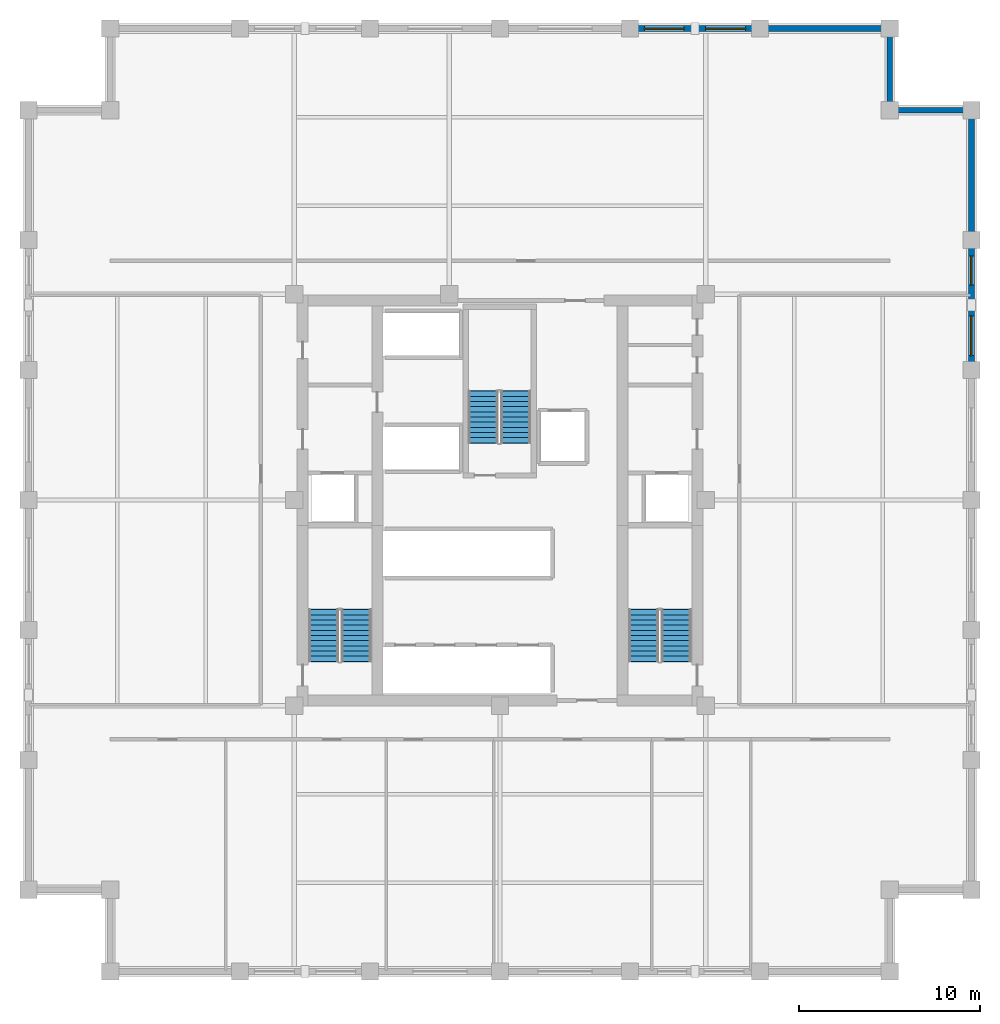
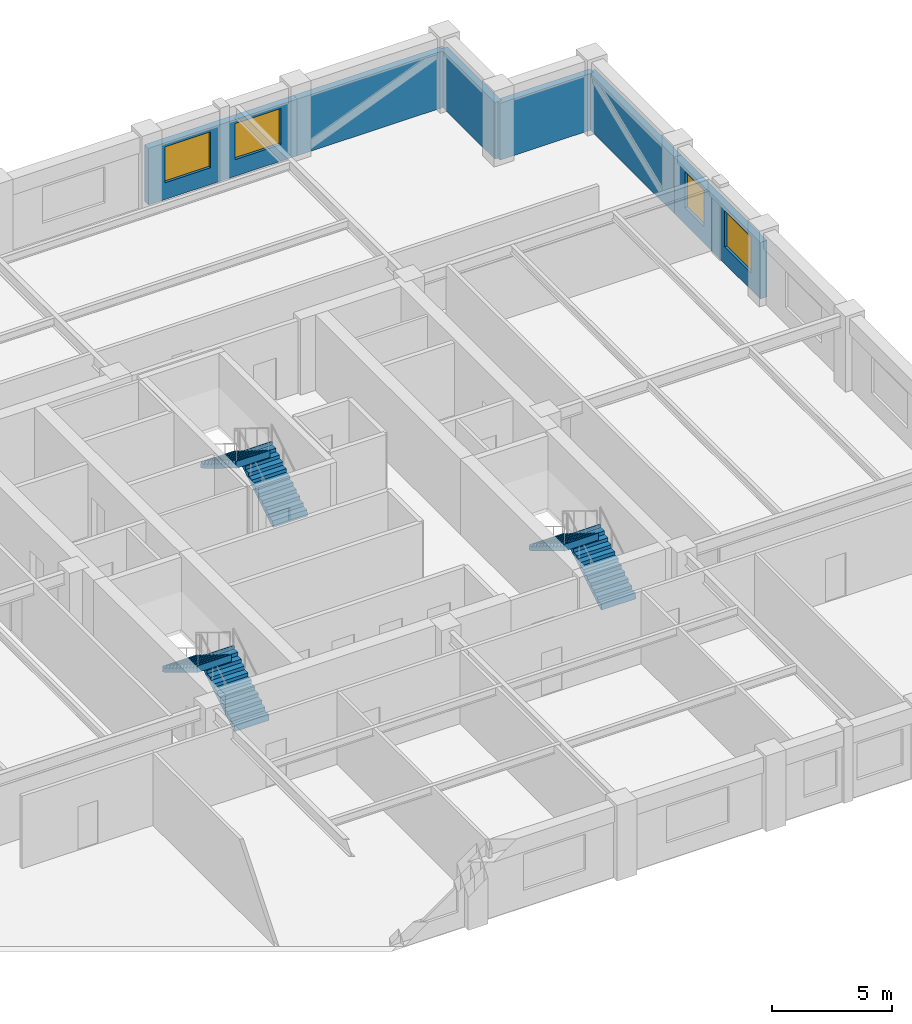
# One storey, part 5 of 6: 6 stair flights, 6 walls, 4 windows, 4 openings, 3 elements without a shape of their own.
"""IFC4 building model written with IfcOpenShell, lengths in metres."""

import ifcopenshell
import ifcopenshell.guid

model = None  # the IFC model being written
_history = None  # IfcOwnerHistory: only IFC2X3 demands one
_inside = {}  # id of a spatial element -> (the spatial element, [elements in it])
_under = {}  # id of a project, library or spatial element -> (it, [spatial elements below it])
_declared = {}  # id of a project -> (the project, [libraries it declares])
_typed = {}  # id of a type object -> (the type object, [elements of that type])
_made_of = {}  # id of a material, layer set ... -> (it, [elements and type objects made of it])


def new_model(schema):
    """Start an empty IFC model of exactly this schema.

    Asked for "IFC4X3", IfcOpenShell would pick the latest addendum, in which some entities
    have other attributes; the version numbers below select the first issue.
    IFC2X3 requires an IfcOwnerHistory on every rooted entity: one is made here for all.
    """
    global model, _history
    if schema == "IFC4X3":
        model = ifcopenshell.file(schema_version=(4, 3, 0, 0))
    else:
        model = ifcopenshell.file(schema=schema)
    _inside.clear()
    _under.clear()
    _declared.clear()
    _typed.clear()
    _made_of.clear()
    _history = None
    if model.schema == "IFC2X3":
        org = make("IfcOrganization", Name="unknown")
        user = make(
            "IfcPersonAndOrganization",
            ThePerson=make("IfcPerson", FamilyName="unknown"),
            TheOrganization=org,
        )
        app = make(
            "IfcApplication",
            ApplicationDeveloper=org,
            Version="unknown",
            ApplicationFullName="unknown",
            ApplicationIdentifier="unknown",
        )
        _history = make(
            "IfcOwnerHistory",
            OwningUser=user,
            OwningApplication=app,
            ChangeAction="ADDED",
            CreationDate=0,
        )
    return model


def make(cls, **values):
    """One entity of the class cls with the attributes given. An attribute that is None is left unset."""
    return model.create_entity(
        cls, **{name: value for name, value in values.items() if value is not None}
    )


def rooted(cls, **values):
    """An entity with a GlobalId (a new one), such as an element, a storey or a relation."""
    return make(cls, GlobalId=ifcopenshell.guid.new(), OwnerHistory=_history, **values)


def si_unit(unit_type, name, prefix=None):
    """IfcSIUnit, for example si_unit("LENGTHUNIT", "METRE", prefix="MILLI")."""
    return make("IfcSIUnit", UnitType=unit_type, Prefix=prefix, Name=name)


def assignment(units):
    """IfcUnitAssignment: the units of a project."""
    return None if units is None else make("IfcUnitAssignment", Units=units)


def point(xyz):
    """IfcCartesianPoint."""
    return None if xyz is None else make("IfcCartesianPoint", Coordinates=xyz)


def direction(xyz):
    """IfcDirection."""
    return None if xyz is None else make("IfcDirection", DirectionRatios=xyz)


def frame(location, z_axis=None, x_axis=None):
    """IfcAxis2Placement3D, a coordinate frame: its origin and axes. An axis left out is left unset."""
    return make(
        "IfcAxis2Placement3D",
        Location=point(location),
        Axis=direction(z_axis),
        RefDirection=direction(x_axis),
    )


def frame_2d(location, x_axis=None):
    """IfcAxis2Placement2D, a coordinate frame in the plane: its origin and x axis."""
    return make(
        "IfcAxis2Placement2D", Location=point(location), RefDirection=direction(x_axis)
    )


def origin():
    """The frame at (0, 0, 0) with its axes left unset."""
    return frame((0.0, 0.0, 0.0))


def place(relative_to, where):
    """IfcLocalPlacement: puts the frame where relative to a parent placement (None: the world)."""
    return make(
        "IfcLocalPlacement", PlacementRelTo=relative_to, RelativePlacement=where
    )


def context(
    kind, dimensions, precision=None, world=None, true_north=None, identifier=None
):
    """IfcGeometricRepresentationContext, for example the 3D "Model" context."""
    return make(
        "IfcGeometricRepresentationContext",
        ContextIdentifier=identifier,
        ContextType=kind,
        CoordinateSpaceDimension=dimensions,
        Precision=precision,
        WorldCoordinateSystem=world,
        TrueNorth=true_north,
    )


def subcontext(parent, identifier, kind, view, scale=None):
    """IfcGeometricRepresentationSubContext, for example "Body" below "Model"."""
    return make(
        "IfcGeometricRepresentationSubContext",
        ContextIdentifier=identifier,
        ContextType=kind,
        ParentContext=parent,
        TargetScale=scale,
        TargetView=view,
    )


def project(units=None, contexts=None):
    """IfcProject with its units and contexts."""
    return rooted(
        "IfcProject",
        Name="project",
        RepresentationContexts=contexts,
        UnitsInContext=assignment(units),
    )


def spatial(cls, under=None, at=None, **own):
    """A site, building, storey or space (cls), placed at a placement, below another one or the project."""
    s = rooted(cls, ObjectPlacement=at, **own)
    if under is not None:
        _under.setdefault(under.id(), (under, []))[1].append(s)
    return s


def polyline(points):
    """IfcPolyline through the points."""
    return make("IfcPolyline", Points=[point(p) for p in points])


def profile(cls, at=None, kind="AREA", **sizes):
    """A parametric profile (cls). Its sizes go by their IFC names, for example OverallWidth=200.0."""
    return make(cls, ProfileType=kind, Position=at, **sizes)


def rectangle(**sizes):
    """IfcRectangleProfileDef."""
    return profile("IfcRectangleProfileDef", **sizes)


def outline(outer, holes=None, kind="AREA"):
    """IfcArbitraryClosedProfileDef: a profile drawn as a closed curve; with holes, ...WithVoids."""
    if holes is None:
        return make("IfcArbitraryClosedProfileDef", ProfileType=kind, OuterCurve=outer)
    return make(
        "IfcArbitraryProfileDefWithVoids",
        ProfileType=kind,
        OuterCurve=outer,
        InnerCurves=holes,
    )


def extrude(swept, where, along, depth):
    """IfcExtrudedAreaSolid: the profile swept, set in the frame where, extruded along a direction by depth."""
    return make(
        "IfcExtrudedAreaSolid",
        SweptArea=swept,
        Position=where,
        ExtrudedDirection=direction(along),
        Depth=depth,
    )


def shape(context_of_items, identifier, shape_type, items):
    """IfcShapeRepresentation: the items that make up one representation, for example the "Body"."""
    return make(
        "IfcShapeRepresentation",
        ContextOfItems=context_of_items,
        RepresentationIdentifier=identifier,
        RepresentationType=shape_type,
        Items=items,
    )


def material(Name=None, Category=None):
    """IfcMaterial."""
    return make("IfcMaterial", Name=Name, Category=Category)


def layer(
    of_material, thickness, ventilated=None, Name=None, Category=None, Priority=None
):
    """IfcMaterialLayer: one layer of a wall or slab, of a material (None: an air gap)."""
    return make(
        "IfcMaterialLayer",
        Material=of_material,
        LayerThickness=thickness,
        IsVentilated=ventilated,
        Name=Name,
        Category=Category,
        Priority=Priority,
    )


def layer_set(layers, Name=None):
    """IfcMaterialLayerSet."""
    return make("IfcMaterialLayerSet", MaterialLayers=layers, LayerSetName=Name)


def made_of(thing, what):
    """Note that an element or type object is made of a material, layer set ...; save() writes the relation."""
    if what is not None:
        _made_of.setdefault(what.id(), (what, []))[1].append(thing)
    return thing


def type_object(cls, material=None, **own):
    """A type object (cls), such as IfcWallType, which elements share."""
    return made_of(rooted(cls, **own), material)


def element(
    cls,
    number,
    at=None,
    inside=None,
    cuts=None,
    type_object=None,
    material=None,
    context=None,
    identifier="Body",
    shape_type=None,
    held_by="IfcProductDefinitionShape",
    body=None,
    shapes=None,
    **own,
):
    """One element of the class cls, such as IfcWall. Its Tag is "e" and its number.

    at: its placement. inside: the storey or other place that contains it. cuts: it is an
    opening in that element (IfcRelVoidsElement). A single representation is given by context,
    identifier, shape_type and body (its items); several are given by shapes. held_by: the class
    of the entity that holds the representations. save() writes the other relations.
    """
    e = rooted(cls, Tag="e%d" % number, ObjectPlacement=at, **own)
    if body is not None:
        shapes = [shape(context, identifier, shape_type, body)]
    if shapes is not None:
        e.Representation = make(held_by, Representations=shapes)
    if inside is not None:
        _inside.setdefault(inside.id(), (inside, []))[1].append(e)
    if cuts is not None:
        rooted(
            "IfcRelVoidsElement", RelatingBuildingElement=cuts, RelatedOpeningElement=e
        )
    if type_object is not None:
        _typed.setdefault(type_object.id(), (type_object, []))[1].append(e)
    return made_of(e, material)


def fill(opening, filler):
    """IfcRelFillsElement: the door or window that sits in an opening."""
    return rooted(
        "IfcRelFillsElement",
        RelatingOpeningElement=opening,
        RelatedBuildingElement=filler,
    )


def aggregate(whole, parts):
    """IfcRelAggregates: a whole, such as a stair, and the parts it consists of."""
    return rooted("IfcRelAggregates", RelatingObject=whole, RelatedObjects=parts)


def save(model, path):
    """Write the relations noted so far, then the file.

    IfcRelAggregates (storeys below a building ...), IfcRelContainedInSpatialStructure (elements
    in a storey), IfcRelDefinesByType, IfcRelAssociatesMaterial and IfcRelDeclares: one each for
    every whole, place, type object, material and project.
    """
    for whole, parts in _under.values():
        aggregate(whole, parts)
    for where, things in _inside.values():
        rooted(
            "IfcRelContainedInSpatialStructure",
            RelatedElements=things,
            RelatingStructure=where,
        )
    for kind, things in _typed.values():
        rooted("IfcRelDefinesByType", RelatedObjects=things, RelatingType=kind)
    for what, things in _made_of.values():
        rooted("IfcRelAssociatesMaterial", RelatedObjects=things, RelatingMaterial=what)
    for by, libraries in _declared.values():
        rooted("IfcRelDeclares", RelatingContext=by, RelatedDefinitions=libraries)
    model.write(path)


model = new_model("IFC4")

# Units and contexts
model_context = context("Model", 3, precision=1e-05, world=origin(), true_north=direction((0.0, 1.0)))
body_context = subcontext(model_context, "Body", "Model", "MODEL_VIEW")
ifc_project = project(units=[si_unit("LENGTHUNIT", "METRE"), si_unit("AREAUNIT", "SQUARE_METRE"), si_unit("VOLUMEUNIT", "CUBIC_METRE"), si_unit("PLANEANGLEUNIT", "RADIAN"), si_unit("MASSUNIT", "GRAM", prefix="KILO")], contexts=[model_context])

# Site, building, storey
site_placement = place(None, origin())
site = spatial("IfcSite", under=ifc_project, at=site_placement, CompositionType="ELEMENT")
building_placement = place(site_placement, origin())
building = spatial("IfcBuilding", under=site, at=building_placement, Name="Nhamokura Convention Tower", CompositionType="ELEMENT")
storey_placement = place(building_placement, frame((0.0, 0.0, 160.64990234375)))
storey = spatial("IfcBuildingStorey", under=building, at=storey_placement, Name="L39", CompositionType="ELEMENT", Elevation=160.64990234375)

# Wall, openings, windows
ifc_material_1 = material(Name="Bronze-pigmented precast concrete C45/55", Category="concrete")
ifc_layer = layer(ifc_material_1, 0.320068359375)
ifc_layer_set = layer_set([ifc_layer], Name="BronzePrecastSpandrel_320")
wall_type = type_object("IfcWallType", Name="BronzePrecastSpandrel_320", PredefinedType="USERDEFINED", material=ifc_layer_set)
wall_1_placement = place(storey_placement, frame((39.166748046875, 58.0, 0.0), z_axis=(0.0, 0.0, 1.0), x_axis=(1.0, 0.0, 0.0)))
wall_1 = element("IfcWall", 1, at=wall_1_placement, inside=storey, type_object=wall_type, Name="L39 Masonry-Frame Wall NORTH 4", ObjectType="SPANDREL_WALL", PredefinedType="USERDEFINED", context=body_context, shape_type="SweptSolid", body=[
    extrude(rectangle(XDim=7.16650390625, YDim=0.320068359375, at=frame_2d((3.583251953125, 0.0))), origin(), (0.0, 0.0, 1.0), 2.885009765625),
])
opening_1_placement = place(wall_1_placement, frame((0.791748046875, 0.0, 0.85009765625)))
opening_1 = element("IfcOpeningElement", 2, at=opening_1_placement, cuts=wall_1, Name="Opening W-06", PredefinedType="OPENING", context=body_context, shape_type="SweptSolid", body=[
    extrude(rectangle(XDim=2.199951171875, YDim=1.8349609375, at=frame_2d((1.10009765625, 0.91748046875))), frame((0.0, 0.169921875, 0.0), z_axis=(0.0, -1.0, 0.0), x_axis=(1.0, 0.0, 0.0)), (0.0, 0.0, 1.0), 0.340087890625),
])
opening_2_placement = place(wall_1_placement, frame((4.175048828125, 0.0, 0.85009765625)))
opening_2 = element("IfcOpeningElement", 3, at=opening_2_placement, cuts=wall_1, Name="Opening W-06", PredefinedType="OPENING", context=body_context, shape_type="SweptSolid", body=[
    extrude(rectangle(XDim=2.199951171875, YDim=1.8349609375, at=frame_2d((1.10009765625, 0.91748046875))), frame((0.0, 0.169921875, 0.0), z_axis=(0.0, -1.0, 0.0), x_axis=(1.0, 0.0, 0.0)), (0.0, 0.0, 1.0), 0.340087890625),
])
ifc_material_2 = material(Name="Solar-control bronze low-E double glass", Category="glass")
window_type_1 = type_object("IfcWindowType", Name="OfficeModuleWindow_Z2_2200", PartitioningType="SINGLE_PANEL", PredefinedType="WINDOW", material=ifc_material_2)
window_1_placement = place(opening_1_placement, origin())
window_1 = element("IfcWindow", 4, at=window_1_placement, inside=storey, type_object=window_type_1, Name="L39 Facade Window NORTH 4-1", OverallHeight=1.8349609375, OverallWidth=2.199951171875, PartitioningType="SINGLE_PANEL", PredefinedType="WINDOW", context=body_context, shape_type="SweptSolid", body=[
    extrude(rectangle(XDim=2.199951171875, YDim=1.8349609375, at=frame_2d((1.10009765625, 0.91748046875))), frame((0.0, 0.030029296875, 0.0), z_axis=(0.0, -1.0, 0.0), x_axis=(1.0, 0.0, 0.0)), (0.0, 0.0, 1.0), 0.06005859375),
])
fill(opening_1, window_1)
window_2_placement = place(opening_2_placement, origin())
window_2 = element("IfcWindow", 5, at=window_2_placement, inside=storey, type_object=window_type_1, Name="L39 Facade Window NORTH 4-2", OverallHeight=1.8349609375, OverallWidth=2.199951171875, PartitioningType="SINGLE_PANEL", PredefinedType="WINDOW", context=body_context, shape_type="SweptSolid", body=[
    extrude(rectangle(XDim=2.199951171875, YDim=1.8349609375, at=frame_2d((1.10009765625, 0.91748046875))), frame((0.0, 0.030029296875, 0.0), z_axis=(0.0, -1.0, 0.0), x_axis=(1.0, 0.0, 0.0)), (0.0, 0.0, 1.0), 0.06005859375),
])
fill(opening_2, window_2)

# Wall
wall_2_placement = place(storey_placement, frame((46.333251953125, 58.0, 0.0), z_axis=(0.0, 0.0, 1.0), x_axis=(1.0, 0.0, 0.0)))
element("IfcWall", 6, at=wall_2_placement, inside=storey, type_object=wall_type, Name="L39 Braced-Bay Precast Wall NORTH 5", ObjectType="SPANDREL_WALL", PredefinedType="USERDEFINED", context=body_context, shape_type="SweptSolid", body=[
    extrude(rectangle(XDim=7.166748046875, YDim=0.320068359375, at=frame_2d((3.58349609375, 0.0))), origin(), (0.0, 0.0, 1.0), 2.885009765625),
])

# Wall, openings, windows
wall_3_placement = place(storey_placement, frame((58.0, 46.333251953125, 0.0), z_axis=(0.0, 0.0, 1.0), x_axis=(0.0, -1.0, 0.0)))
wall_3 = element("IfcWall", 7, at=wall_3_placement, inside=storey, type_object=wall_type, Name="L39 Masonry-Frame Wall EAST 4", ObjectType="SPANDREL_WALL", PredefinedType="USERDEFINED", context=body_context, shape_type="SweptSolid", body=[
    extrude(rectangle(XDim=7.16650390625, YDim=0.320068359375, at=frame_2d((3.583251953125, 0.0))), origin(), (0.0, 0.0, 1.0), 2.885009765625),
])
opening_3_placement = place(wall_3_placement, frame((0.879150390625, 0.0, 0.85009765625)))
opening_3 = element("IfcOpeningElement", 8, at=opening_3_placement, cuts=wall_3, Name="Opening W-11", PredefinedType="OPENING", context=body_context, shape_type="SweptSolid", body=[
    extrude(rectangle(XDim=1.60009765625, YDim=1.8349609375, at=frame_2d((0.800048828125, 0.91748046875))), frame((0.0, 0.169921875, 0.0), z_axis=(0.0, -1.0, 0.0), x_axis=(1.0, 0.0, 0.0)), (0.0, 0.0, 1.0), 0.340087890625),
])
opening_4_placement = place(wall_3_placement, frame((4.175048828125, 0.0, 0.85009765625)))
opening_4 = element("IfcOpeningElement", 9, at=opening_4_placement, cuts=wall_3, Name="Opening W-06", PredefinedType="OPENING", context=body_context, shape_type="SweptSolid", body=[
    extrude(rectangle(XDim=2.199951171875, YDim=1.8349609375, at=frame_2d((1.10009765625, 0.91748046875))), frame((0.0, 0.169921875, 0.0), z_axis=(0.0, -1.0, 0.0), x_axis=(1.0, 0.0, 0.0)), (0.0, 0.0, 1.0), 0.340087890625),
])
ifc_material_3 = material(Name="Solar-control bronze low-E double glass", Category="glass")
window_type_2 = type_object("IfcWindowType", Name="NotchCornerWindow_1600", PartitioningType="SINGLE_PANEL", PredefinedType="WINDOW", material=ifc_material_3)
window_3_placement = place(opening_3_placement, origin())
window_3 = element("IfcWindow", 10, at=window_3_placement, inside=storey, type_object=window_type_2, Name="L39 Facade Window EAST 4-1", OverallHeight=1.8349609375, OverallWidth=1.60009765625, PartitioningType="SINGLE_PANEL", PredefinedType="WINDOW", context=body_context, shape_type="SweptSolid", body=[
    extrude(rectangle(XDim=1.60009765625, YDim=1.8349609375, at=frame_2d((0.800048828125, 0.91748046875))), frame((0.0, 0.030029296875, 0.0), z_axis=(0.0, -1.0, 0.0), x_axis=(1.0, 0.0, 0.0)), (0.0, 0.0, 1.0), 0.06005859375),
])
fill(opening_3, window_3)
window_4_placement = place(opening_4_placement, origin())
window_4 = element("IfcWindow", 11, at=window_4_placement, inside=storey, type_object=window_type_1, Name="L39 Facade Window EAST 4-2", OverallHeight=1.8349609375, OverallWidth=2.199951171875, PartitioningType="SINGLE_PANEL", PredefinedType="WINDOW", context=body_context, shape_type="SweptSolid", body=[
    extrude(rectangle(XDim=2.199951171875, YDim=1.8349609375, at=frame_2d((1.10009765625, 0.91748046875))), frame((0.0, 0.030029296875, 0.0), z_axis=(0.0, -1.0, 0.0), x_axis=(1.0, 0.0, 0.0)), (0.0, 0.0, 1.0), 0.06005859375),
])
fill(opening_4, window_4)

# Walls
wall_4_placement = place(storey_placement, frame((58.0, 53.5, 0.0), z_axis=(0.0, 0.0, 1.0), x_axis=(0.0, -1.0, 0.0)))
element("IfcWall", 12, at=wall_4_placement, inside=storey, type_object=wall_type, Name="L39 Braced-Bay Precast Wall EAST 5", ObjectType="SPANDREL_WALL", PredefinedType="USERDEFINED", context=body_context, shape_type="SweptSolid", body=[
    extrude(rectangle(XDim=7.166748046875, YDim=0.320068359375, at=frame_2d((3.58349609375, 0.0))), origin(), (0.0, 0.0, 1.0), 2.885009765625),
])
for number, where, z_axis, x_axis, name in (
    (13, (53.5, 53.5, 0.0), (0.0, 0.0, 1.0), (1.0, 0.0, 0.0), "L39 Notched Corner Wall NE1"),
    (14, (53.5, 58.0, 0.0), (0.0, 0.0, 1.0), (0.0, -1.0, 0.0), "L39 Notched Corner Wall NE2"),
):
    element("IfcWall", number, at=place(storey_placement, frame(where, z_axis=z_axis, x_axis=x_axis)), inside=storey, type_object=wall_type, Name=name, ObjectType="SPANDREL_WALL", PredefinedType="USERDEFINED", context=body_context, shape_type="SweptSolid", body=[
        extrude(rectangle(XDim=4.5, YDim=0.320068359375, at=frame_2d((2.25, 0.0))), origin(), (0.0, 0.0, 1.0), 2.885009765625),
    ])

# Stair, stair flights
ifc_material_4 = material(Name="Concrete C40/50", Category="concrete")
stair_type = type_object("IfcStairType", Name="TowerCoreStair_1650", PredefinedType="HALF_TURN_STAIR", material=ifc_material_4)
stair_1_placement = place(storey_placement, origin())
stair_1 = element("IfcStair", 15, at=stair_1_placement, inside=storey, type_object=stair_type, Name="L39 West Core Smokeproof Stair ST-01", PredefinedType="HALF_TURN_STAIR")
ifc_material_5 = material(Name="Concrete C40/50", Category="concrete")
stair_flight_type = type_object("IfcStairFlightType", Name="TowerCoreStair_1650_Flight", PredefinedType="STRAIGHT", material=ifc_material_5)
stair_flight_1_placement = place(storey_placement, frame((24.074951171875, 23.10009765625, 0.0), z_axis=(0.0, 0.0, 1.0), x_axis=(0.0, 1.0, 0.0)))
stair_flight_1 = element("IfcStairFlight", 16, at=stair_flight_1_placement, type_object=stair_flight_type, Name="ST-01 flight 1", NumberOfRisers=11, NumberOfTreads=10, PredefinedType="STRAIGHT", RiserHeight=0.175, TreadLength=0.285, context=body_context, shape_type="SweptSolid", body=[
    extrude(outline(polyline([(-0.0419921875, 0.0), (0.0, 0.175048828125), (0.284912109375, 0.175048828125), (0.284912109375, 0.35009765625), (0.570068359375, 0.35009765625), (0.570068359375, 0.52490234375), (0.85498046875, 0.52490234375), (0.85498046875, 0.699951171875), (1.139892578125, 0.699951171875), (1.139892578125, 0.875), (1.425048828125, 0.875), (1.425048828125, 1.050048828125), (1.7099609375, 1.050048828125), (1.7099609375, 1.22509765625), (1.9951171875, 1.22509765625), (1.9951171875, 1.39990234375), (2.280029296875, 1.39990234375), (2.280029296875, 1.574951171875), (2.56494140625, 1.574951171875), (2.56494140625, 1.75), (2.85009765625, 1.75), (2.85009765625, 1.925048828125), (2.89208984375, 1.925048828125), (2.89208984375, 1.573974609375), (2.85009765625, 1.573974609375), (0.286376953125, 0.0), (0.02001953125, -0.1298828125), (-0.0419921875, -0.1298828125), (-0.0419921875, 0.0)])), frame((0.0, 0.824951171875, 0.0), z_axis=(0.0, -1.0, 0.0), x_axis=(1.0, 0.0, 0.0)), (0.0, 0.0, 1.0), 1.64990234375),
])
stair_flight_2_placement = place(storey_placement, frame((22.27490234375, 25.949951171875, 1.925048828125), z_axis=(0.0, 0.0, 1.0), x_axis=(0.0, -1.0, 0.0)))
stair_flight_2 = element("IfcStairFlight", 17, at=stair_flight_2_placement, type_object=stair_flight_type, Name="ST-01 flight 2", NumberOfRisers=11, NumberOfTreads=10, PredefinedType="STRAIGHT", RiserHeight=0.175, TreadLength=0.285, context=body_context, shape_type="SweptSolid", body=[
    extrude(outline(polyline([(-0.0419921875, 0.0), (0.0, 0.175048828125), (0.284912109375, 0.175048828125), (0.284912109375, 0.35009765625), (0.570068359375, 0.35009765625), (0.570068359375, 0.52490234375), (0.85498046875, 0.52490234375), (0.85498046875, 0.699951171875), (1.139892578125, 0.699951171875), (1.139892578125, 0.875), (1.425048828125, 0.875), (1.425048828125, 1.050048828125), (1.7099609375, 1.050048828125), (1.7099609375, 1.22509765625), (1.9951171875, 1.22509765625), (1.9951171875, 1.39990234375), (2.280029296875, 1.39990234375), (2.280029296875, 1.574951171875), (2.56494140625, 1.574951171875), (2.56494140625, 1.75), (2.85009765625, 1.75), (2.85009765625, 1.925048828125), (2.89208984375, 1.925048828125), (2.89208984375, 1.573974609375), (2.85009765625, 1.573974609375), (0.286376953125, 0.0), (0.02001953125, -0.1298828125), (-0.0419921875, -0.1298828125), (-0.0419921875, 0.0)])), frame((0.0, 0.824951171875, 0.0), z_axis=(0.0, -1.0, 0.0), x_axis=(1.0, 0.0, 0.0)), (0.0, 0.0, 1.0), 1.64990234375),
])
aggregate(stair_1, [stair_flight_1, stair_flight_2])

stair_2_placement = place(storey_placement, origin())
stair_2 = element("IfcStair", 18, at=stair_2_placement, inside=storey, type_object=stair_type, Name="L39 East Core Smokeproof Stair ST-02", PredefinedType="HALF_TURN_STAIR")
stair_flight_3_placement = place(storey_placement, frame((41.72509765625, 23.10009765625, 0.0), z_axis=(0.0, 0.0, 1.0), x_axis=(0.0, 1.0, 0.0)))
stair_flight_3 = element("IfcStairFlight", 19, at=stair_flight_3_placement, type_object=stair_flight_type, Name="ST-02 flight 1", NumberOfRisers=11, NumberOfTreads=10, PredefinedType="STRAIGHT", RiserHeight=0.175, TreadLength=0.285, context=body_context, shape_type="SweptSolid", body=[
    extrude(outline(polyline([(-0.0419921875, 0.0), (0.0, 0.175048828125), (0.284912109375, 0.175048828125), (0.284912109375, 0.35009765625), (0.570068359375, 0.35009765625), (0.570068359375, 0.52490234375), (0.85498046875, 0.52490234375), (0.85498046875, 0.699951171875), (1.139892578125, 0.699951171875), (1.139892578125, 0.875), (1.425048828125, 0.875), (1.425048828125, 1.050048828125), (1.7099609375, 1.050048828125), (1.7099609375, 1.22509765625), (1.9951171875, 1.22509765625), (1.9951171875, 1.39990234375), (2.280029296875, 1.39990234375), (2.280029296875, 1.574951171875), (2.56494140625, 1.574951171875), (2.56494140625, 1.75), (2.85009765625, 1.75), (2.85009765625, 1.925048828125), (2.89208984375, 1.925048828125), (2.89208984375, 1.573974609375), (2.85009765625, 1.573974609375), (0.286376953125, 0.0), (0.02001953125, -0.1298828125), (-0.0419921875, -0.1298828125), (-0.0419921875, 0.0)])), frame((0.0, 0.824951171875, 0.0), z_axis=(0.0, -1.0, 0.0), x_axis=(1.0, 0.0, 0.0)), (0.0, 0.0, 1.0), 1.64990234375),
])
stair_flight_4_placement = place(storey_placement, frame((39.925048828125, 25.949951171875, 1.925048828125), z_axis=(0.0, 0.0, 1.0), x_axis=(0.0, -1.0, 0.0)))
stair_flight_4 = element("IfcStairFlight", 20, at=stair_flight_4_placement, type_object=stair_flight_type, Name="ST-02 flight 2", NumberOfRisers=11, NumberOfTreads=10, PredefinedType="STRAIGHT", RiserHeight=0.175, TreadLength=0.285, context=body_context, shape_type="SweptSolid", body=[
    extrude(outline(polyline([(-0.0419921875, 0.0), (0.0, 0.175048828125), (0.284912109375, 0.175048828125), (0.284912109375, 0.35009765625), (0.570068359375, 0.35009765625), (0.570068359375, 0.52490234375), (0.85498046875, 0.52490234375), (0.85498046875, 0.699951171875), (1.139892578125, 0.699951171875), (1.139892578125, 0.875), (1.425048828125, 0.875), (1.425048828125, 1.050048828125), (1.7099609375, 1.050048828125), (1.7099609375, 1.22509765625), (1.9951171875, 1.22509765625), (1.9951171875, 1.39990234375), (2.280029296875, 1.39990234375), (2.280029296875, 1.574951171875), (2.56494140625, 1.574951171875), (2.56494140625, 1.75), (2.85009765625, 1.75), (2.85009765625, 1.925048828125), (2.89208984375, 1.925048828125), (2.89208984375, 1.573974609375), (2.85009765625, 1.573974609375), (0.286376953125, 0.0), (0.02001953125, -0.1298828125), (-0.0419921875, -0.1298828125), (-0.0419921875, 0.0)])), frame((0.0, 0.824951171875, 0.0), z_axis=(0.0, -1.0, 0.0), x_axis=(1.0, 0.0, 0.0)), (0.0, 0.0, 1.0), 1.64990234375),
])
aggregate(stair_2, [stair_flight_3, stair_flight_4])

stair_3_placement = place(storey_placement, origin())
stair_3 = element("IfcStair", 21, at=stair_3_placement, inside=storey, type_object=stair_type, Name="L39 North Core Smokeproof Stair ST-03", PredefinedType="HALF_TURN_STAIR")
stair_flight_5_placement = place(storey_placement, frame((32.875, 35.14990234375, 0.0), z_axis=(0.0, 0.0, 1.0), x_axis=(0.0, 1.0, 0.0)))
stair_flight_5 = element("IfcStairFlight", 22, at=stair_flight_5_placement, type_object=stair_flight_type, Name="ST-03 flight 1", NumberOfRisers=11, NumberOfTreads=10, PredefinedType="STRAIGHT", RiserHeight=0.175, TreadLength=0.285, context=body_context, shape_type="SweptSolid", body=[
    extrude(outline(polyline([(-0.0419921875, 0.0), (0.0, 0.175048828125), (0.284912109375, 0.175048828125), (0.284912109375, 0.35009765625), (0.570068359375, 0.35009765625), (0.570068359375, 0.52490234375), (0.85498046875, 0.52490234375), (0.85498046875, 0.699951171875), (1.139892578125, 0.699951171875), (1.139892578125, 0.875), (1.425048828125, 0.875), (1.425048828125, 1.050048828125), (1.7099609375, 1.050048828125), (1.7099609375, 1.22509765625), (1.9951171875, 1.22509765625), (1.9951171875, 1.39990234375), (2.280029296875, 1.39990234375), (2.280029296875, 1.574951171875), (2.56494140625, 1.574951171875), (2.56494140625, 1.75), (2.85009765625, 1.75), (2.85009765625, 1.925048828125), (2.89208984375, 1.925048828125), (2.89208984375, 1.573974609375), (2.85009765625, 1.573974609375), (0.286376953125, 0.0), (0.02001953125, -0.1298828125), (-0.0419921875, -0.1298828125), (-0.0419921875, 0.0)])), frame((0.0, 0.824951171875, 0.0), z_axis=(0.0, -1.0, 0.0), x_axis=(1.0, 0.0, 0.0)), (0.0, 0.0, 1.0), 1.64990234375),
])
stair_flight_6_placement = place(storey_placement, frame((31.074951171875, 38.0, 1.925048828125), z_axis=(0.0, 0.0, 1.0), x_axis=(0.0, -1.0, 0.0)))
stair_flight_6 = element("IfcStairFlight", 23, at=stair_flight_6_placement, type_object=stair_flight_type, Name="ST-03 flight 2", NumberOfRisers=11, NumberOfTreads=10, PredefinedType="STRAIGHT", RiserHeight=0.175, TreadLength=0.285, context=body_context, shape_type="SweptSolid", body=[
    extrude(outline(polyline([(-0.0419921875, 0.0), (0.0, 0.175048828125), (0.284912109375, 0.175048828125), (0.284912109375, 0.35009765625), (0.570068359375, 0.35009765625), (0.570068359375, 0.52490234375), (0.85498046875, 0.52490234375), (0.85498046875, 0.699951171875), (1.139892578125, 0.699951171875), (1.139892578125, 0.875), (1.425048828125, 0.875), (1.425048828125, 1.050048828125), (1.7099609375, 1.050048828125), (1.7099609375, 1.22509765625), (1.9951171875, 1.22509765625), (1.9951171875, 1.39990234375), (2.280029296875, 1.39990234375), (2.280029296875, 1.574951171875), (2.56494140625, 1.574951171875), (2.56494140625, 1.75), (2.85009765625, 1.75), (2.85009765625, 1.925048828125), (2.89208984375, 1.925048828125), (2.89208984375, 1.573974609375), (2.85009765625, 1.573974609375), (0.286376953125, 0.0), (0.02001953125, -0.1298828125), (-0.0419921875, -0.1298828125), (-0.0419921875, 0.0)])), frame((0.0, 0.824951171875, 0.0), z_axis=(0.0, -1.0, 0.0), x_axis=(1.0, 0.0, 0.0)), (0.0, 0.0, 1.0), 1.64990234375),
])
aggregate(stair_3, [stair_flight_5, stair_flight_6])

save(model, "model.ifc")
